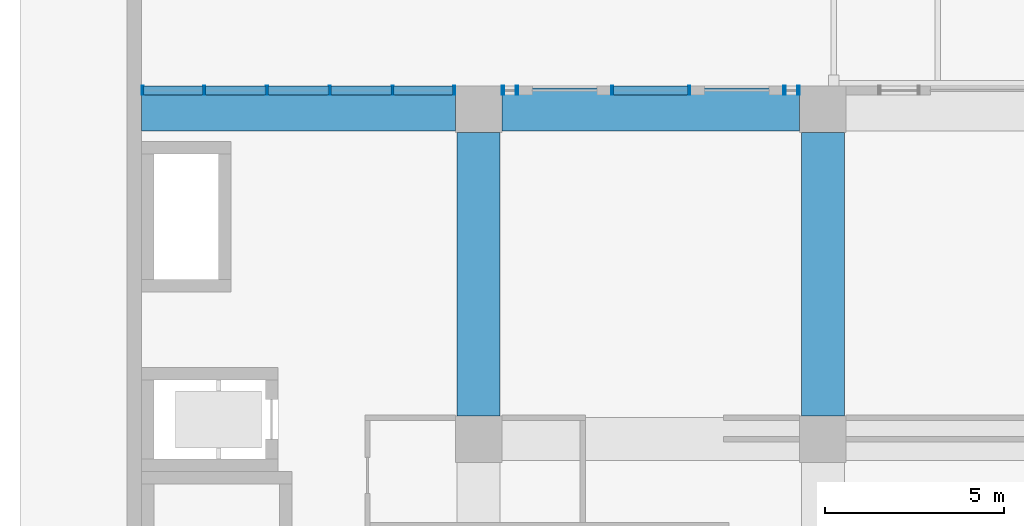
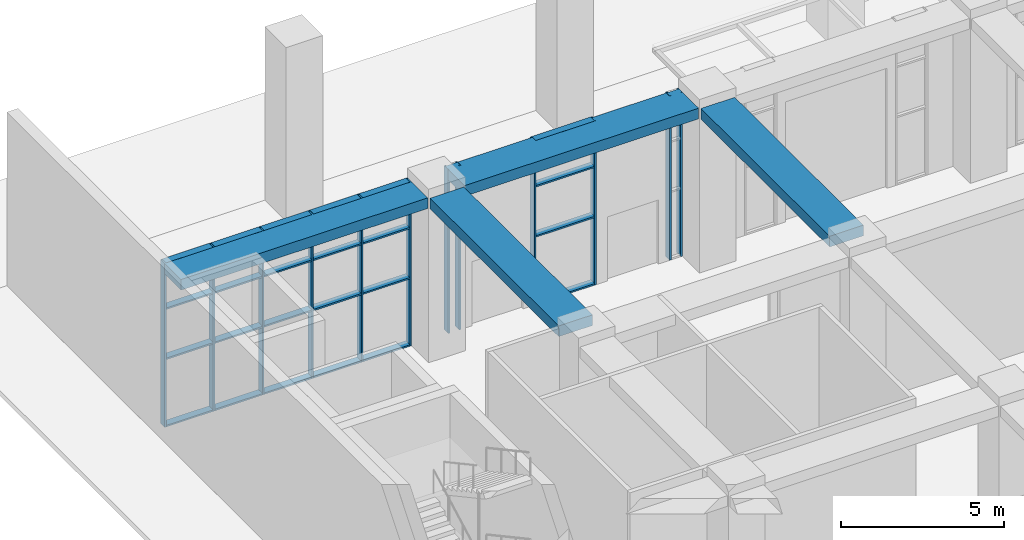
# One storey, part 5 of 45: 36 members, 4 beams, 4 elements without a shape of their own.
"""IFC4 building model written with IfcOpenShell, lengths in metres."""

import ifcopenshell
import ifcopenshell.guid

model = None  # the IFC model being written
_history = None  # IfcOwnerHistory: only IFC2X3 demands one
_inside = {}  # id of a spatial element -> (the spatial element, [elements in it])
_under = {}  # id of a project, library or spatial element -> (it, [spatial elements below it])
_declared = {}  # id of a project -> (the project, [libraries it declares])
_typed = {}  # id of a type object -> (the type object, [elements of that type])
_made_of = {}  # id of a material, layer set ... -> (it, [elements and type objects made of it])


def new_model(schema):
    """Start an empty IFC model of exactly this schema.

    Asked for "IFC4X3", IfcOpenShell would pick the latest addendum, in which some entities
    have other attributes; the version numbers below select the first issue.
    IFC2X3 requires an IfcOwnerHistory on every rooted entity: one is made here for all.
    """
    global model, _history
    if schema == "IFC4X3":
        model = ifcopenshell.file(schema_version=(4, 3, 0, 0))
    else:
        model = ifcopenshell.file(schema=schema)
    _inside.clear()
    _under.clear()
    _declared.clear()
    _typed.clear()
    _made_of.clear()
    _history = None
    if model.schema == "IFC2X3":
        org = make("IfcOrganization", Name="unknown")
        user = make(
            "IfcPersonAndOrganization",
            ThePerson=make("IfcPerson", FamilyName="unknown"),
            TheOrganization=org,
        )
        app = make(
            "IfcApplication",
            ApplicationDeveloper=org,
            Version="unknown",
            ApplicationFullName="unknown",
            ApplicationIdentifier="unknown",
        )
        _history = make(
            "IfcOwnerHistory",
            OwningUser=user,
            OwningApplication=app,
            ChangeAction="ADDED",
            CreationDate=0,
        )
    return model


def make(cls, **values):
    """One entity of the class cls with the attributes given. An attribute that is None is left unset."""
    return model.create_entity(
        cls, **{name: value for name, value in values.items() if value is not None}
    )


def rooted(cls, **values):
    """An entity with a GlobalId (a new one), such as an element, a storey or a relation."""
    return make(cls, GlobalId=ifcopenshell.guid.new(), OwnerHistory=_history, **values)


def si_unit(unit_type, name, prefix=None):
    """IfcSIUnit, for example si_unit("LENGTHUNIT", "METRE", prefix="MILLI")."""
    return make("IfcSIUnit", UnitType=unit_type, Prefix=prefix, Name=name)


def assignment(units):
    """IfcUnitAssignment: the units of a project."""
    return None if units is None else make("IfcUnitAssignment", Units=units)


def point(xyz):
    """IfcCartesianPoint."""
    return None if xyz is None else make("IfcCartesianPoint", Coordinates=xyz)


def direction(xyz):
    """IfcDirection."""
    return None if xyz is None else make("IfcDirection", DirectionRatios=xyz)


def frame(location, z_axis=None, x_axis=None):
    """IfcAxis2Placement3D, a coordinate frame: its origin and axes. An axis left out is left unset."""
    return make(
        "IfcAxis2Placement3D",
        Location=point(location),
        Axis=direction(z_axis),
        RefDirection=direction(x_axis),
    )


def frame_2d(location, x_axis=None):
    """IfcAxis2Placement2D, a coordinate frame in the plane: its origin and x axis."""
    return make(
        "IfcAxis2Placement2D", Location=point(location), RefDirection=direction(x_axis)
    )


def origin():
    """The frame at (0, 0, 0) with its axes left unset."""
    return frame((0.0, 0.0, 0.0))


def origin_2d():
    """The frame at (0, 0) in the plane with its x axis left unset."""
    return frame_2d((0.0, 0.0))


def place(relative_to, where):
    """IfcLocalPlacement: puts the frame where relative to a parent placement (None: the world)."""
    return make(
        "IfcLocalPlacement", PlacementRelTo=relative_to, RelativePlacement=where
    )


def context(
    kind, dimensions, precision=None, world=None, true_north=None, identifier=None
):
    """IfcGeometricRepresentationContext, for example the 3D "Model" context."""
    return make(
        "IfcGeometricRepresentationContext",
        ContextIdentifier=identifier,
        ContextType=kind,
        CoordinateSpaceDimension=dimensions,
        Precision=precision,
        WorldCoordinateSystem=world,
        TrueNorth=true_north,
    )


def subcontext(parent, identifier, kind, view, scale=None):
    """IfcGeometricRepresentationSubContext, for example "Body" below "Model"."""
    return make(
        "IfcGeometricRepresentationSubContext",
        ContextIdentifier=identifier,
        ContextType=kind,
        ParentContext=parent,
        TargetScale=scale,
        TargetView=view,
    )


def project(units=None, contexts=None):
    """IfcProject with its units and contexts."""
    return rooted(
        "IfcProject",
        Name="project",
        RepresentationContexts=contexts,
        UnitsInContext=assignment(units),
    )


def spatial(cls, under=None, at=None, **own):
    """A site, building, storey or space (cls), placed at a placement, below another one or the project."""
    s = rooted(cls, ObjectPlacement=at, **own)
    if under is not None:
        _under.setdefault(under.id(), (under, []))[1].append(s)
    return s


def profile(cls, at=None, kind="AREA", **sizes):
    """A parametric profile (cls). Its sizes go by their IFC names, for example OverallWidth=200.0."""
    return make(cls, ProfileType=kind, Position=at, **sizes)


def rectangle(**sizes):
    """IfcRectangleProfileDef."""
    return profile("IfcRectangleProfileDef", **sizes)


def hollow_rectangle(**sizes):
    """IfcRectangleHollowProfileDef."""
    return profile("IfcRectangleHollowProfileDef", **sizes)


def extrude(swept, where, along, depth):
    """IfcExtrudedAreaSolid: the profile swept, set in the frame where, extruded along a direction by depth."""
    return make(
        "IfcExtrudedAreaSolid",
        SweptArea=swept,
        Position=where,
        ExtrudedDirection=direction(along),
        Depth=depth,
    )


def shape(context_of_items, identifier, shape_type, items):
    """IfcShapeRepresentation: the items that make up one representation, for example the "Body"."""
    return make(
        "IfcShapeRepresentation",
        ContextOfItems=context_of_items,
        RepresentationIdentifier=identifier,
        RepresentationType=shape_type,
        Items=items,
    )


def material(Name=None, Category=None):
    """IfcMaterial."""
    return make("IfcMaterial", Name=Name, Category=Category)


def layer(
    of_material, thickness, ventilated=None, Name=None, Category=None, Priority=None
):
    """IfcMaterialLayer: one layer of a wall or slab, of a material (None: an air gap)."""
    return make(
        "IfcMaterialLayer",
        Material=of_material,
        LayerThickness=thickness,
        IsVentilated=ventilated,
        Name=Name,
        Category=Category,
        Priority=Priority,
    )


def layer_set(layers, Name=None):
    """IfcMaterialLayerSet."""
    return make("IfcMaterialLayerSet", MaterialLayers=layers, LayerSetName=Name)


def material_profile(
    of_material, cross_section, Name=None, Category=None, Priority=None
):
    """IfcMaterialProfile: a cross section and its material."""
    return make(
        "IfcMaterialProfile",
        Name=Name,
        Material=of_material,
        Profile=cross_section,
        Priority=Priority,
        Category=Category,
    )


def profile_set(profiles, Name=None, composite=None):
    """IfcMaterialProfileSet."""
    return make(
        "IfcMaterialProfileSet",
        Name=Name,
        MaterialProfiles=profiles,
        CompositeProfile=composite,
    )


def made_of(thing, what):
    """Note that an element or type object is made of a material, layer set ...; save() writes the relation."""
    if what is not None:
        _made_of.setdefault(what.id(), (what, []))[1].append(thing)
    return thing


def type_object(cls, material=None, **own):
    """A type object (cls), such as IfcWallType, which elements share."""
    return made_of(rooted(cls, **own), material)


def element(
    cls,
    number,
    at=None,
    inside=None,
    cuts=None,
    type_object=None,
    material=None,
    context=None,
    identifier="Body",
    shape_type=None,
    held_by="IfcProductDefinitionShape",
    body=None,
    shapes=None,
    **own,
):
    """One element of the class cls, such as IfcWall. Its Tag is "e" and its number.

    at: its placement. inside: the storey or other place that contains it. cuts: it is an
    opening in that element (IfcRelVoidsElement). A single representation is given by context,
    identifier, shape_type and body (its items); several are given by shapes. held_by: the class
    of the entity that holds the representations. save() writes the other relations.
    """
    e = rooted(cls, Tag="e%d" % number, ObjectPlacement=at, **own)
    if body is not None:
        shapes = [shape(context, identifier, shape_type, body)]
    if shapes is not None:
        e.Representation = make(held_by, Representations=shapes)
    if inside is not None:
        _inside.setdefault(inside.id(), (inside, []))[1].append(e)
    if cuts is not None:
        rooted(
            "IfcRelVoidsElement", RelatingBuildingElement=cuts, RelatedOpeningElement=e
        )
    if type_object is not None:
        _typed.setdefault(type_object.id(), (type_object, []))[1].append(e)
    return made_of(e, material)


def aggregate(whole, parts):
    """IfcRelAggregates: a whole, such as a stair, and the parts it consists of."""
    return rooted("IfcRelAggregates", RelatingObject=whole, RelatedObjects=parts)


def save(model, path):
    """Write the relations noted so far, then the file.

    IfcRelAggregates (storeys below a building ...), IfcRelContainedInSpatialStructure (elements
    in a storey), IfcRelDefinesByType, IfcRelAssociatesMaterial and IfcRelDeclares: one each for
    every whole, place, type object, material and project.
    """
    for whole, parts in _under.values():
        aggregate(whole, parts)
    for where, things in _inside.values():
        rooted(
            "IfcRelContainedInSpatialStructure",
            RelatedElements=things,
            RelatingStructure=where,
        )
    for kind, things in _typed.values():
        rooted("IfcRelDefinesByType", RelatedObjects=things, RelatingType=kind)
    for what, things in _made_of.values():
        rooted("IfcRelAssociatesMaterial", RelatedObjects=things, RelatingMaterial=what)
    for by, libraries in _declared.values():
        rooted("IfcRelDeclares", RelatingContext=by, RelatedDefinitions=libraries)
    model.write(path)


model = new_model("IFC4")

# Units and contexts
model_context = context("Model", 3, precision=1e-05, world=origin(), true_north=direction((0.0, 1.0)))
body_context = subcontext(model_context, "Body", "Model", "MODEL_VIEW")
ifc_project = project(units=[si_unit("LENGTHUNIT", "METRE"), si_unit("AREAUNIT", "SQUARE_METRE"), si_unit("VOLUMEUNIT", "CUBIC_METRE"), si_unit("PLANEANGLEUNIT", "RADIAN"), si_unit("MASSUNIT", "GRAM", prefix="KILO")], contexts=[model_context])

# Site, building, storey
site_placement = place(None, origin())
site = spatial("IfcSite", under=ifc_project, at=site_placement, CompositionType="ELEMENT")
building_placement = place(site_placement, origin())
building = spatial("IfcBuilding", under=site, at=building_placement, Name="Nzadi Deep Aquarium and Research Tower", CompositionType="ELEMENT")
storey_placement = place(building_placement, origin())
storey = spatial("IfcBuildingStorey", under=building, at=storey_placement, Name="G", CompositionType="ELEMENT", Elevation=0.0)

# Curtain wall, members
ifc_material_1 = material(Name="Aluminium stick frame", Category="aluminium")
ifc_layer = layer(ifc_material_1, 0.25)
ifc_layer_set = layer_set([ifc_layer], Name="Aluminium stick frame")
curtain_wall_type = type_object("IfcCurtainWallType", Name="Curtain wall Stick 250", PredefinedType="NOTDEFINED", material=ifc_layer_set)
curtain_wall_1_placement = place(storey_placement, origin())
curtain_wall_1 = element("IfcCurtainWall", 1, at=curtain_wall_1_placement, inside=storey, type_object=curtain_wall_type, Name="Lobby stick glazing G", PredefinedType="NOTDEFINED")
ifc_material_2 = material(Name="Aluminium stick frame", Category="aluminium")
ifc_material_profile_1 = material_profile(ifc_material_2, hollow_rectangle(XDim=0.25, YDim=0.06005859375, WallThickness=0.0048828125, at=origin_2d()))
ifc_profile_set_1 = profile_set([ifc_material_profile_1], Name="Aluminium stick frame")
member_type_1 = type_object("IfcMemberType", Name="Mullion 60x250 Stick", PredefinedType="MULLION", material=ifc_profile_set_1)
member_1_placement = place(storey_placement, frame((0.22998046875, 132.125, 0.0), z_axis=(0.0, 0.0, 1.0), x_axis=(0.0, 1.0, 0.0)))
member_1 = element("IfcMember", 2, at=member_1_placement, type_object=member_type_1, Name="CW225 mullion 1", PredefinedType="MULLION", context=body_context, shape_type="SweptSolid", body=[
    extrude(hollow_rectangle(XDim=0.25, YDim=0.06005859375, WallThickness=0.0048828125, at=origin_2d()), origin(), (0.0, 0.0, 1.0), 6.14990234375),
])
member_2_placement = place(storey_placement, frame((1.949951171875, 132.125, 0.0), z_axis=(0.0, 0.0, 1.0), x_axis=(0.0, 1.0, 0.0)))
member_2 = element("IfcMember", 3, at=member_2_placement, type_object=member_type_1, Name="CW225 mullion 2", PredefinedType="MULLION", context=body_context, shape_type="SweptSolid", body=[
    extrude(hollow_rectangle(XDim=0.25, YDim=0.06005859375, WallThickness=0.0048828125, at=origin_2d()), origin(), (0.0, 0.0, 1.0), 6.14990234375),
])
member_3_placement = place(storey_placement, frame((3.699951171875, 132.125, 0.0), z_axis=(0.0, 0.0, 1.0), x_axis=(0.0, 1.0, 0.0)))
member_3 = element("IfcMember", 4, at=member_3_placement, type_object=member_type_1, Name="CW225 mullion 3", PredefinedType="MULLION", context=body_context, shape_type="SweptSolid", body=[
    extrude(hollow_rectangle(XDim=0.25, YDim=0.06005859375, WallThickness=0.0048828125, at=origin_2d()), origin(), (0.0, 0.0, 1.0), 6.14990234375),
])
member_4_placement = place(storey_placement, frame((5.449951171875, 132.125, 0.0), z_axis=(0.0, 0.0, 1.0), x_axis=(0.0, 1.0, 0.0)))
member_4 = element("IfcMember", 5, at=member_4_placement, type_object=member_type_1, Name="CW225 mullion 4", PredefinedType="MULLION", context=body_context, shape_type="SweptSolid", body=[
    extrude(hollow_rectangle(XDim=0.25, YDim=0.06005859375, WallThickness=0.0048828125, at=origin_2d()), origin(), (0.0, 0.0, 1.0), 6.14990234375),
])
member_5_placement = place(storey_placement, frame((7.199951171875, 132.125, 0.0), z_axis=(0.0, 0.0, 1.0), x_axis=(0.0, 1.0, 0.0)))
member_5 = element("IfcMember", 6, at=member_5_placement, type_object=member_type_1, Name="CW225 mullion 5", PredefinedType="MULLION", context=body_context, shape_type="SweptSolid", body=[
    extrude(hollow_rectangle(XDim=0.25, YDim=0.06005859375, WallThickness=0.0048828125, at=origin_2d()), origin(), (0.0, 0.0, 1.0), 6.14990234375),
])
member_6_placement = place(storey_placement, frame((8.919921875, 132.125, 0.0), z_axis=(0.0, 0.0, 1.0), x_axis=(0.0, 1.0, 0.0)))
member_6 = element("IfcMember", 7, at=member_6_placement, type_object=member_type_1, Name="CW225 mullion 6", PredefinedType="MULLION", context=body_context, shape_type="SweptSolid", body=[
    extrude(hollow_rectangle(XDim=0.25, YDim=0.06005859375, WallThickness=0.0048828125, at=origin_2d()), origin(), (0.0, 0.0, 1.0), 6.14990234375),
])

curtain_wall_2_placement = place(storey_placement, origin())
curtain_wall_2 = element("IfcCurtainWall", 8, at=curtain_wall_2_placement, inside=storey, type_object=curtain_wall_type, Name="Lobby stick glazing G", PredefinedType="NOTDEFINED")
member_7_placement = place(storey_placement, frame((10.280029296875, 132.125, 0.0), z_axis=(0.0, 0.0, 1.0), x_axis=(0.0, 1.0, 0.0)))
member_7 = element("IfcMember", 9, at=member_7_placement, type_object=member_type_1, Name="CW227 mullion 1", PredefinedType="MULLION", context=body_context, shape_type="SweptSolid", body=[
    extrude(hollow_rectangle(XDim=0.25, YDim=0.06005859375, WallThickness=0.0048828125, at=origin_2d()), origin(), (0.0, 0.0, 1.0), 6.14990234375),
])
member_8_placement = place(storey_placement, frame((10.669921875, 132.125, 0.0), z_axis=(0.0, 0.0, 1.0), x_axis=(0.0, 1.0, 0.0)))
member_8 = element("IfcMember", 10, at=member_8_placement, type_object=member_type_1, Name="CW227 mullion 2", PredefinedType="MULLION", context=body_context, shape_type="SweptSolid", body=[
    extrude(hollow_rectangle(XDim=0.25, YDim=0.06005859375, WallThickness=0.0048828125, at=origin_2d()), origin(), (0.0, 0.0, 1.0), 6.14990234375),
])
aggregate(curtain_wall_2, [member_7, member_8])

curtain_wall_3_placement = place(storey_placement, origin())
curtain_wall_3 = element("IfcCurtainWall", 11, at=curtain_wall_3_placement, inside=storey, type_object=curtain_wall_type, Name="Lobby stick glazing G", PredefinedType="NOTDEFINED")
member_9_placement = place(storey_placement, frame((13.330078125, 132.125, 0.0), z_axis=(0.0, 0.0, 1.0), x_axis=(0.0, 1.0, 0.0)))
member_9 = element("IfcMember", 12, at=member_9_placement, type_object=member_type_1, Name="CW228 mullion 1", PredefinedType="MULLION", context=body_context, shape_type="SweptSolid", body=[
    extrude(hollow_rectangle(XDim=0.25, YDim=0.06005859375, WallThickness=0.0048828125, at=origin_2d()), origin(), (0.0, 0.0, 1.0), 6.14990234375),
])
member_10_placement = place(storey_placement, frame((15.469970703125, 132.125, 0.0), z_axis=(0.0, 0.0, 1.0), x_axis=(0.0, 1.0, 0.0)))
member_10 = element("IfcMember", 13, at=member_10_placement, type_object=member_type_1, Name="CW228 mullion 2", PredefinedType="MULLION", context=body_context, shape_type="SweptSolid", body=[
    extrude(hollow_rectangle(XDim=0.25, YDim=0.06005859375, WallThickness=0.0048828125, at=origin_2d()), origin(), (0.0, 0.0, 1.0), 6.14990234375),
])

curtain_wall_4_placement = place(storey_placement, origin())
curtain_wall_4 = element("IfcCurtainWall", 14, at=curtain_wall_4_placement, inside=storey, type_object=curtain_wall_type, Name="Lobby stick glazing G", PredefinedType="NOTDEFINED")
member_11_placement = place(storey_placement, frame((18.1298828125, 132.125, 0.0), z_axis=(0.0, 0.0, 1.0), x_axis=(0.0, 1.0, 0.0)))
member_11 = element("IfcMember", 15, at=member_11_placement, type_object=member_type_1, Name="CW229 mullion 1", PredefinedType="MULLION", context=body_context, shape_type="SweptSolid", body=[
    extrude(hollow_rectangle(XDim=0.25, YDim=0.06005859375, WallThickness=0.0048828125, at=origin_2d()), origin(), (0.0, 0.0, 1.0), 6.14990234375),
])
member_12_placement = place(storey_placement, frame((18.52001953125, 132.125, 0.0), z_axis=(0.0, 0.0, 1.0), x_axis=(0.0, 1.0, 0.0)))
member_12 = element("IfcMember", 16, at=member_12_placement, type_object=member_type_1, Name="CW229 mullion 2", PredefinedType="MULLION", context=body_context, shape_type="SweptSolid", body=[
    extrude(hollow_rectangle(XDim=0.25, YDim=0.06005859375, WallThickness=0.0048828125, at=origin_2d()), origin(), (0.0, 0.0, 1.0), 6.14990234375),
])
aggregate(curtain_wall_4, [member_11, member_12])

# Beams
ifc_material_3 = material(Name="Concrete C35/45", Category="concrete")
ifc_material_profile_2 = material_profile(ifc_material_3, rectangle(XDim=1.199951171875, YDim=0.39990234375, at=origin_2d()))
ifc_profile_set_2 = profile_set([ifc_material_profile_2], Name="Concrete C35/45")
beam_type = type_object("IfcBeamType", Name="RC 1200x400", PredefinedType="BEAM", material=ifc_profile_set_2)
beam_1_placement = place(storey_placement, frame((0.199951171875, 131.60009765625, 5.949951171875), z_axis=(1.0, 0.0, 0.0), x_axis=(0.0, 1.0, 0.0)))
element("IfcBeam", 17, at=beam_1_placement, inside=storey, type_object=beam_type, Name="B-Z3-G-L17-1", PredefinedType="BEAM", context=body_context, shape_type="SweptSolid", body=[
    extrude(rectangle(XDim=1.199951171875, YDim=0.39990234375, at=origin_2d()), origin(), (0.0, 0.0, 1.0), 8.75),
])
beam_2_placement = place(storey_placement, frame((10.25, 131.60009765625, 5.949951171875), z_axis=(1.0, 0.0, 0.0), x_axis=(0.0, 1.0, 0.0)))
element("IfcBeam", 18, at=beam_2_placement, inside=storey, type_object=beam_type, Name="B-Z3-G-L17-2", PredefinedType="BEAM", context=body_context, shape_type="SweptSolid", body=[
    extrude(rectangle(XDim=1.199951171875, YDim=0.39990234375, at=origin_2d()), origin(), (0.0, 0.0, 1.0), 8.300048828125),
])
for number, where, z_axis, x_axis, name in (
    (19, (9.60009765625, 123.050048828125, 5.949951171875), (0.0, 1.0, 0.0), (-1.0, 0.0, 0.0), "B-Z3-G-CB-4-13"),
    (20, (19.199951171875, 123.050048828125, 5.949951171875), (0.0, 1.0, 0.0), (-1.0, 0.0, 0.0), "B-Z3-G-CC-4-13"),
):
    element("IfcBeam", number, at=place(storey_placement, frame(where, z_axis=z_axis, x_axis=x_axis)), inside=storey, type_object=beam_type, Name=name, PredefinedType="BEAM", context=body_context, shape_type="SweptSolid", body=[
        extrude(rectangle(XDim=1.199951171875, YDim=0.39990234375, at=origin_2d()), origin(), (0.0, 0.0, 1.0), 7.89990234375),
    ])

# Member
ifc_material_4 = material(Name="Aluminium stick frame", Category="aluminium")
ifc_material_profile_3 = material_profile(ifc_material_4, hollow_rectangle(XDim=0.25, YDim=0.06005859375, WallThickness=0.0048828125, at=origin_2d()))
ifc_profile_set_3 = profile_set([ifc_material_profile_3], Name="Aluminium stick frame")
member_type_2 = type_object("IfcMemberType", Name="Transom 60x250 Stick", PredefinedType="MULLION", material=ifc_profile_set_3)
member_13_placement = place(storey_placement, frame((0.260009765625, 132.125, 0.030029296875), z_axis=(1.0, 0.0, 0.0), x_axis=(0.0, 1.0, 0.0)))
member_13 = element("IfcMember", 21, at=member_13_placement, type_object=member_type_2, Name="CW225 transom 1.1", PredefinedType="MULLION", context=body_context, shape_type="SweptSolid", body=[
    extrude(hollow_rectangle(XDim=0.25, YDim=0.06005859375, WallThickness=0.0048828125, at=origin_2d()), origin(), (0.0, 0.0, 1.0), 1.659912109375),
])

member_14_placement = place(storey_placement, frame((0.260009765625, 132.125, 2.550048828125), z_axis=(1.0, 0.0, 0.0), x_axis=(0.0, 1.0, 0.0)))
member_14 = element("IfcMember", 22, at=member_14_placement, type_object=member_type_2, Name="CW225 transom 1.2", PredefinedType="MULLION", context=body_context, shape_type="SweptSolid", body=[
    extrude(hollow_rectangle(XDim=0.25, YDim=0.06005859375, WallThickness=0.0048828125, at=origin_2d()), origin(), (0.0, 0.0, 1.0), 1.659912109375),
])

member_15_placement = place(storey_placement, frame((0.260009765625, 132.125, 4.427978515625), z_axis=(1.0, 0.0, 0.0), x_axis=(0.0, 1.0, 0.0)))
member_15 = element("IfcMember", 23, at=member_15_placement, type_object=member_type_2, Name="CW225 transom 1.3", PredefinedType="MULLION", context=body_context, shape_type="SweptSolid", body=[
    extrude(hollow_rectangle(XDim=0.25, YDim=0.06005859375, WallThickness=0.0048828125, at=origin_2d()), origin(), (0.0, 0.0, 1.0), 1.659912109375),
])

member_16_placement = place(storey_placement, frame((0.260009765625, 132.125, 6.1201171875), z_axis=(1.0, 0.0, 0.0), x_axis=(0.0, 1.0, 0.0)))
member_16 = element("IfcMember", 24, at=member_16_placement, type_object=member_type_2, Name="CW225 transom 1.4", PredefinedType="MULLION", context=body_context, shape_type="SweptSolid", body=[
    extrude(hollow_rectangle(XDim=0.25, YDim=0.06005859375, WallThickness=0.0048828125, at=origin_2d()), origin(), (0.0, 0.0, 1.0), 1.659912109375),
])

member_17_placement = place(storey_placement, frame((1.97998046875, 132.125, 0.030029296875), z_axis=(1.0, 0.0, 0.0), x_axis=(0.0, 1.0, 0.0)))
member_17 = element("IfcMember", 25, at=member_17_placement, type_object=member_type_2, Name="CW225 transom 2.1", PredefinedType="MULLION", context=body_context, shape_type="SweptSolid", body=[
    extrude(hollow_rectangle(XDim=0.25, YDim=0.06005859375, WallThickness=0.0048828125, at=origin_2d()), origin(), (0.0, 0.0, 1.0), 1.68994140625),
])

member_18_placement = place(storey_placement, frame((1.97998046875, 132.125, 2.550048828125), z_axis=(1.0, 0.0, 0.0), x_axis=(0.0, 1.0, 0.0)))
member_18 = element("IfcMember", 26, at=member_18_placement, type_object=member_type_2, Name="CW225 transom 2.2", PredefinedType="MULLION", context=body_context, shape_type="SweptSolid", body=[
    extrude(hollow_rectangle(XDim=0.25, YDim=0.06005859375, WallThickness=0.0048828125, at=origin_2d()), origin(), (0.0, 0.0, 1.0), 1.68994140625),
])

member_19_placement = place(storey_placement, frame((1.97998046875, 132.125, 4.427978515625), z_axis=(1.0, 0.0, 0.0), x_axis=(0.0, 1.0, 0.0)))
member_19 = element("IfcMember", 27, at=member_19_placement, type_object=member_type_2, Name="CW225 transom 2.3", PredefinedType="MULLION", context=body_context, shape_type="SweptSolid", body=[
    extrude(hollow_rectangle(XDim=0.25, YDim=0.06005859375, WallThickness=0.0048828125, at=origin_2d()), origin(), (0.0, 0.0, 1.0), 1.68994140625),
])

member_20_placement = place(storey_placement, frame((1.97998046875, 132.125, 6.1201171875), z_axis=(1.0, 0.0, 0.0), x_axis=(0.0, 1.0, 0.0)))
member_20 = element("IfcMember", 28, at=member_20_placement, type_object=member_type_2, Name="CW225 transom 2.4", PredefinedType="MULLION", context=body_context, shape_type="SweptSolid", body=[
    extrude(hollow_rectangle(XDim=0.25, YDim=0.06005859375, WallThickness=0.0048828125, at=origin_2d()), origin(), (0.0, 0.0, 1.0), 1.68994140625),
])

member_21_placement = place(storey_placement, frame((3.72998046875, 132.125, 0.030029296875), z_axis=(1.0, 0.0, 0.0), x_axis=(0.0, 1.0, 0.0)))
member_21 = element("IfcMember", 29, at=member_21_placement, type_object=member_type_2, Name="CW225 transom 3.1", PredefinedType="MULLION", context=body_context, shape_type="SweptSolid", body=[
    extrude(hollow_rectangle(XDim=0.25, YDim=0.06005859375, WallThickness=0.0048828125, at=origin_2d()), origin(), (0.0, 0.0, 1.0), 1.68994140625),
])

member_22_placement = place(storey_placement, frame((3.72998046875, 132.125, 2.550048828125), z_axis=(1.0, 0.0, 0.0), x_axis=(0.0, 1.0, 0.0)))
member_22 = element("IfcMember", 30, at=member_22_placement, type_object=member_type_2, Name="CW225 transom 3.2", PredefinedType="MULLION", context=body_context, shape_type="SweptSolid", body=[
    extrude(hollow_rectangle(XDim=0.25, YDim=0.06005859375, WallThickness=0.0048828125, at=origin_2d()), origin(), (0.0, 0.0, 1.0), 1.68994140625),
])

member_23_placement = place(storey_placement, frame((3.72998046875, 132.125, 4.427978515625), z_axis=(1.0, 0.0, 0.0), x_axis=(0.0, 1.0, 0.0)))
member_23 = element("IfcMember", 31, at=member_23_placement, type_object=member_type_2, Name="CW225 transom 3.3", PredefinedType="MULLION", context=body_context, shape_type="SweptSolid", body=[
    extrude(hollow_rectangle(XDim=0.25, YDim=0.06005859375, WallThickness=0.0048828125, at=origin_2d()), origin(), (0.0, 0.0, 1.0), 1.68994140625),
])

member_24_placement = place(storey_placement, frame((3.72998046875, 132.125, 6.1201171875), z_axis=(1.0, 0.0, 0.0), x_axis=(0.0, 1.0, 0.0)))
member_24 = element("IfcMember", 32, at=member_24_placement, type_object=member_type_2, Name="CW225 transom 3.4", PredefinedType="MULLION", context=body_context, shape_type="SweptSolid", body=[
    extrude(hollow_rectangle(XDim=0.25, YDim=0.06005859375, WallThickness=0.0048828125, at=origin_2d()), origin(), (0.0, 0.0, 1.0), 1.68994140625),
])

member_25_placement = place(storey_placement, frame((5.47998046875, 132.125, 0.030029296875), z_axis=(1.0, 0.0, 0.0), x_axis=(0.0, 1.0, 0.0)))
member_25 = element("IfcMember", 33, at=member_25_placement, type_object=member_type_2, Name="CW225 transom 4.1", PredefinedType="MULLION", context=body_context, shape_type="SweptSolid", body=[
    extrude(hollow_rectangle(XDim=0.25, YDim=0.06005859375, WallThickness=0.0048828125, at=origin_2d()), origin(), (0.0, 0.0, 1.0), 1.68994140625),
])

member_26_placement = place(storey_placement, frame((5.47998046875, 132.125, 2.550048828125), z_axis=(1.0, 0.0, 0.0), x_axis=(0.0, 1.0, 0.0)))
member_26 = element("IfcMember", 34, at=member_26_placement, type_object=member_type_2, Name="CW225 transom 4.2", PredefinedType="MULLION", context=body_context, shape_type="SweptSolid", body=[
    extrude(hollow_rectangle(XDim=0.25, YDim=0.06005859375, WallThickness=0.0048828125, at=origin_2d()), origin(), (0.0, 0.0, 1.0), 1.68994140625),
])

member_27_placement = place(storey_placement, frame((5.47998046875, 132.125, 4.427978515625), z_axis=(1.0, 0.0, 0.0), x_axis=(0.0, 1.0, 0.0)))
member_27 = element("IfcMember", 35, at=member_27_placement, type_object=member_type_2, Name="CW225 transom 4.3", PredefinedType="MULLION", context=body_context, shape_type="SweptSolid", body=[
    extrude(hollow_rectangle(XDim=0.25, YDim=0.06005859375, WallThickness=0.0048828125, at=origin_2d()), origin(), (0.0, 0.0, 1.0), 1.68994140625),
])

member_28_placement = place(storey_placement, frame((5.47998046875, 132.125, 6.1201171875), z_axis=(1.0, 0.0, 0.0), x_axis=(0.0, 1.0, 0.0)))
member_28 = element("IfcMember", 36, at=member_28_placement, type_object=member_type_2, Name="CW225 transom 4.4", PredefinedType="MULLION", context=body_context, shape_type="SweptSolid", body=[
    extrude(hollow_rectangle(XDim=0.25, YDim=0.06005859375, WallThickness=0.0048828125, at=origin_2d()), origin(), (0.0, 0.0, 1.0), 1.68994140625),
])

member_29_placement = place(storey_placement, frame((7.22998046875, 132.125, 0.030029296875), z_axis=(1.0, 0.0, 0.0), x_axis=(0.0, 1.0, 0.0)))
member_29 = element("IfcMember", 37, at=member_29_placement, type_object=member_type_2, Name="CW225 transom 5.1", PredefinedType="MULLION", context=body_context, shape_type="SweptSolid", body=[
    extrude(hollow_rectangle(XDim=0.25, YDim=0.06005859375, WallThickness=0.0048828125, at=origin_2d()), origin(), (0.0, 0.0, 1.0), 1.659912109375),
])

member_30_placement = place(storey_placement, frame((7.22998046875, 132.125, 2.550048828125), z_axis=(1.0, 0.0, 0.0), x_axis=(0.0, 1.0, 0.0)))
member_30 = element("IfcMember", 38, at=member_30_placement, type_object=member_type_2, Name="CW225 transom 5.2", PredefinedType="MULLION", context=body_context, shape_type="SweptSolid", body=[
    extrude(hollow_rectangle(XDim=0.25, YDim=0.06005859375, WallThickness=0.0048828125, at=origin_2d()), origin(), (0.0, 0.0, 1.0), 1.659912109375),
])

member_31_placement = place(storey_placement, frame((7.22998046875, 132.125, 4.427978515625), z_axis=(1.0, 0.0, 0.0), x_axis=(0.0, 1.0, 0.0)))
member_31 = element("IfcMember", 39, at=member_31_placement, type_object=member_type_2, Name="CW225 transom 5.3", PredefinedType="MULLION", context=body_context, shape_type="SweptSolid", body=[
    extrude(hollow_rectangle(XDim=0.25, YDim=0.06005859375, WallThickness=0.0048828125, at=origin_2d()), origin(), (0.0, 0.0, 1.0), 1.659912109375),
])

member_32_placement = place(storey_placement, frame((7.22998046875, 132.125, 6.1201171875), z_axis=(1.0, 0.0, 0.0), x_axis=(0.0, 1.0, 0.0)))
member_32 = element("IfcMember", 40, at=member_32_placement, type_object=member_type_2, Name="CW225 transom 5.4", PredefinedType="MULLION", context=body_context, shape_type="SweptSolid", body=[
    extrude(hollow_rectangle(XDim=0.25, YDim=0.06005859375, WallThickness=0.0048828125, at=origin_2d()), origin(), (0.0, 0.0, 1.0), 1.659912109375),
])

aggregate(curtain_wall_1, [member_1, member_2, member_3, member_4, member_5, member_6, member_13, member_14, member_15, member_16, member_17, member_18, member_19, member_20, member_21, member_22, member_23, member_24, member_25, member_26, member_27, member_28, member_29, member_30, member_31, member_32])

member_33_placement = place(storey_placement, frame((13.360107421875, 132.125, 0.030029296875), z_axis=(1.0, 0.0, 0.0), x_axis=(0.0, 1.0, 0.0)))
member_33 = element("IfcMember", 41, at=member_33_placement, type_object=member_type_2, Name="CW228 transom 1.1", PredefinedType="MULLION", context=body_context, shape_type="SweptSolid", body=[
    extrude(hollow_rectangle(XDim=0.25, YDim=0.06005859375, WallThickness=0.0048828125, at=origin_2d()), origin(), (0.0, 0.0, 1.0), 2.079833984375),
])

member_34_placement = place(storey_placement, frame((13.360107421875, 132.125, 2.550048828125), z_axis=(1.0, 0.0, 0.0), x_axis=(0.0, 1.0, 0.0)))
member_34 = element("IfcMember", 42, at=member_34_placement, type_object=member_type_2, Name="CW228 transom 1.2", PredefinedType="MULLION", context=body_context, shape_type="SweptSolid", body=[
    extrude(hollow_rectangle(XDim=0.25, YDim=0.06005859375, WallThickness=0.0048828125, at=origin_2d()), origin(), (0.0, 0.0, 1.0), 2.079833984375),
])

member_35_placement = place(storey_placement, frame((13.360107421875, 132.125, 4.427978515625), z_axis=(1.0, 0.0, 0.0), x_axis=(0.0, 1.0, 0.0)))
member_35 = element("IfcMember", 43, at=member_35_placement, type_object=member_type_2, Name="CW228 transom 1.3", PredefinedType="MULLION", context=body_context, shape_type="SweptSolid", body=[
    extrude(hollow_rectangle(XDim=0.25, YDim=0.06005859375, WallThickness=0.0048828125, at=origin_2d()), origin(), (0.0, 0.0, 1.0), 2.079833984375),
])

member_36_placement = place(storey_placement, frame((13.360107421875, 132.125, 6.1201171875), z_axis=(1.0, 0.0, 0.0), x_axis=(0.0, 1.0, 0.0)))
member_36 = element("IfcMember", 44, at=member_36_placement, type_object=member_type_2, Name="CW228 transom 1.4", PredefinedType="MULLION", context=body_context, shape_type="SweptSolid", body=[
    extrude(hollow_rectangle(XDim=0.25, YDim=0.06005859375, WallThickness=0.0048828125, at=origin_2d()), origin(), (0.0, 0.0, 1.0), 2.079833984375),
])

aggregate(curtain_wall_3, [member_9, member_10, member_33, member_34, member_35, member_36])

save(model, "model.ifc")
